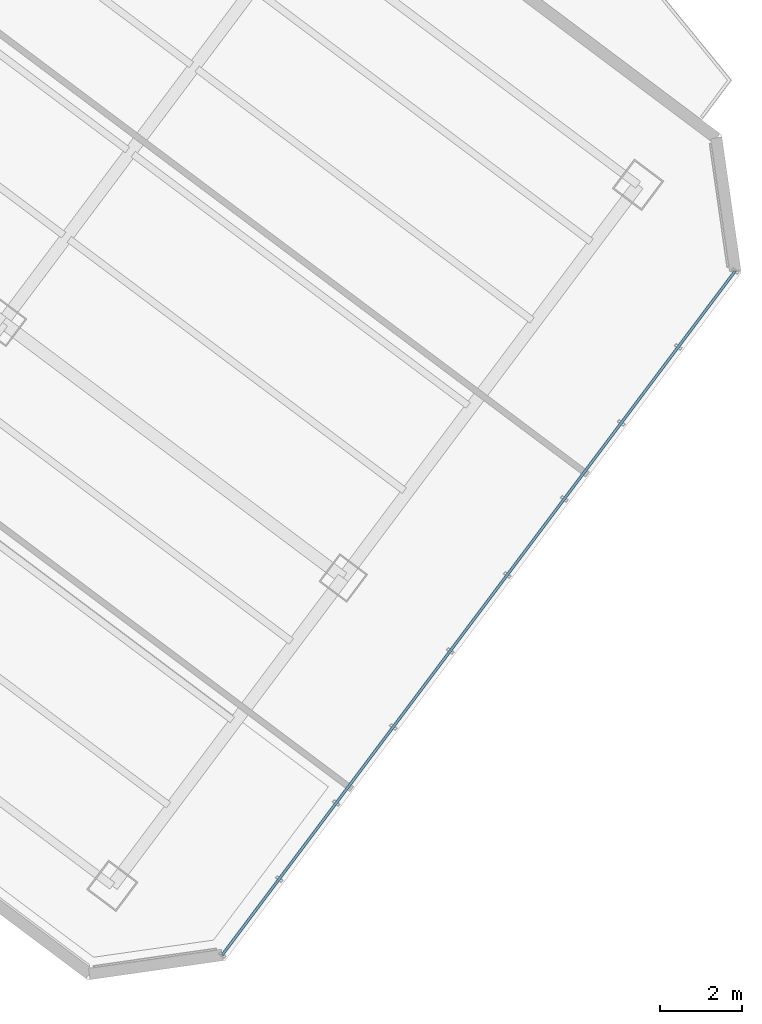
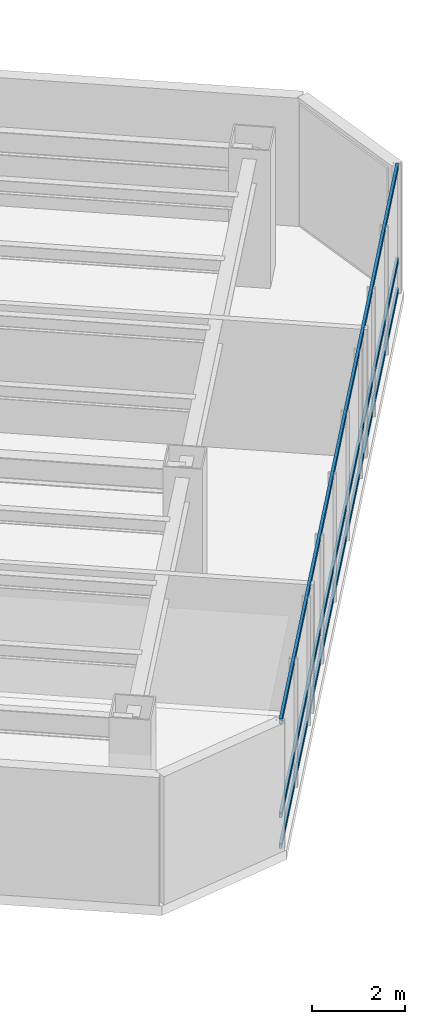
# One storey, part 9 of 29: 3 members, 1 element without a shape of its own.
"""IFC4 building model written with IfcOpenShell, lengths in metres."""

from ifc_helpers import new_model, si_unit, direction, frame, origin, origin_2d, place, context, subcontext, project, spatial, hollow_rectangle, extrude, material, layer, layer_set, material_profile, profile_set, type_object, element, aggregate, save


model = new_model("IFC4")

# Units and contexts
model_context = context("Model", 3, precision=1e-05, world=origin(), true_north=direction((0.0, 1.0)))
body_context = subcontext(model_context, "Body", "Model", "MODEL_VIEW")
ifc_project = project(units=[si_unit("LENGTHUNIT", "METRE"), si_unit("AREAUNIT", "SQUARE_METRE"), si_unit("VOLUMEUNIT", "CUBIC_METRE"), si_unit("PLANEANGLEUNIT", "RADIAN"), si_unit("MASSUNIT", "GRAM", prefix="KILO")], contexts=[model_context])

# Site, building, storey
site_placement = place(None, origin())
site = spatial("IfcSite", under=ifc_project, at=site_placement, CompositionType="ELEMENT")
building_placement = place(site_placement, origin())
building = spatial("IfcBuilding", under=site, at=building_placement, Name="Hatsunagi Terrace Concourse", CompositionType="ELEMENT")
storey_placement = place(building_placement, frame((0.0, 0.0, 108.449951171875)))
storey = spatial("IfcBuildingStorey", under=building, at=storey_placement, Name="L28", CompositionType="ELEMENT", Elevation=108.449951171875)

# Curtain wall, members
ifc_material_1 = material(Name="Anodised Aluminium Alloy 6063-T5", Category="aluminium")
ifc_layer = layer(ifc_material_1, 0.199951171875)
ifc_layer_set = layer_set([ifc_layer], Name="OfficeZone1_CW03")
curtain_wall_type = type_object("IfcCurtainWallType", Name="OfficeZone1_CW03", PredefinedType="NOTDEFINED", material=ifc_layer_set)
curtain_wall_placement = place(storey_placement, origin())
curtain_wall = element("IfcCurtainWall", 1, at=curtain_wall_placement, inside=storey, type_object=curtain_wall_type, Name="Unitised Curtain Wall CW-03 CW-L28-03", PredefinedType="NOTDEFINED")
ifc_material_2 = material(Name="Anodised Aluminium Alloy 6063-T5", Category="aluminium")
ifc_material_profile = material_profile(ifc_material_2, hollow_rectangle(XDim=0.06494140625, YDim=0.139892578125, WallThickness=0.00390625, at=origin_2d()), Name="ALU-TRN-140x65x4")
ifc_profile_set = profile_set([ifc_material_profile], Name="Anodised Aluminium Alloy 6063-T5")
member_type = type_object("IfcMemberType", Name="CurtainWallTransom_140x65", PredefinedType="USERDEFINED", material=ifc_profile_set)
member_1_placement = place(storey_placement, frame((69.093017578125, 19.657958984375, 0.050048828125), z_axis=(-0.599970072971, -0.800022444397, 0.0), x_axis=(0.800022444397, -0.599970072971, 0.0)))
member_1 = element("IfcMember", 2, at=member_1_placement, type_object=member_type, Name="Curtain Wall Transom TRN-02", ObjectType="TRANSOM", PredefinedType="USERDEFINED", context=body_context, shape_type="SweptSolid", body=[
    extrude(hollow_rectangle(XDim=0.06494140625, YDim=0.139892578125, WallThickness=0.00390625, at=origin_2d()), origin(), (0.0, 0.0, 1.0), 20.884521484375),
])
member_2_placement = place(storey_placement, frame((69.093017578125, 19.657958984375, 0.85009765625), z_axis=(-0.599970072971, -0.800022444397, 0.0), x_axis=(0.800022444397, -0.599970072971, 0.0)))
member_2 = element("IfcMember", 3, at=member_2_placement, type_object=member_type, Name="Curtain Wall Transom TRN-02", ObjectType="TRANSOM", PredefinedType="USERDEFINED", context=body_context, shape_type="SweptSolid", body=[
    extrude(hollow_rectangle(XDim=0.06494140625, YDim=0.139892578125, WallThickness=0.00390625, at=origin_2d()), origin(), (0.0, 0.0, 1.0), 20.884521484375),
])
member_3_placement = place(storey_placement, frame((69.093017578125, 19.657958984375, 3.300048828125), z_axis=(-0.599970072971, -0.800022444397, 0.0), x_axis=(0.800022444397, -0.599970072971, 0.0)))
member_3 = element("IfcMember", 4, at=member_3_placement, type_object=member_type, Name="Curtain Wall Transom TRN-02", ObjectType="TRANSOM", PredefinedType="USERDEFINED", context=body_context, shape_type="SweptSolid", body=[
    extrude(hollow_rectangle(XDim=0.06494140625, YDim=0.139892578125, WallThickness=0.00390625, at=origin_2d()), origin(), (0.0, 0.0, 1.0), 20.884521484375),
])
aggregate(curtain_wall, [member_1, member_2, member_3])

save(model, "model.ifc")
